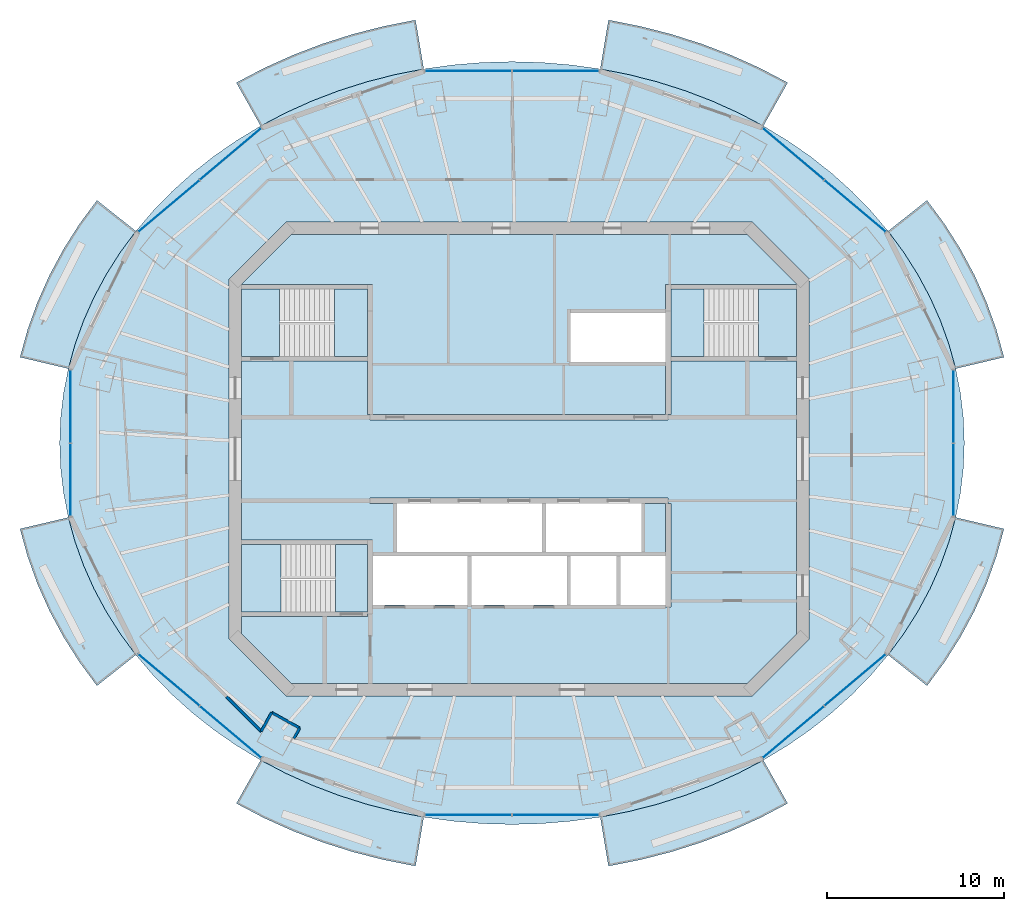
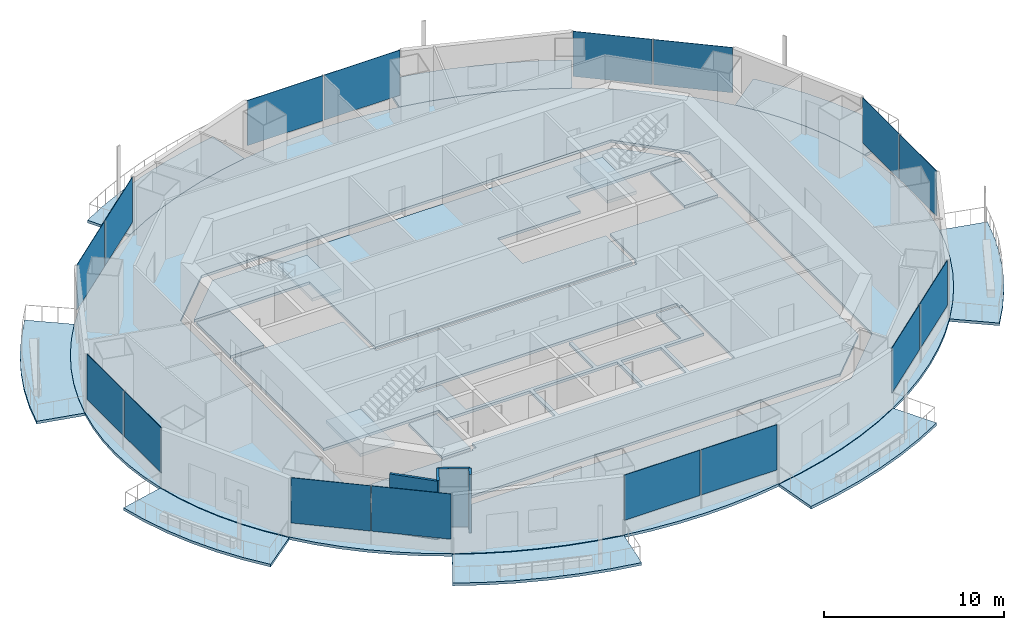
# One storey, part 7 of 15: 17 slabs, 16 plates, 4 walls, 11 elements without a shape of their own.
"""IFC4 building model written with IfcOpenShell, lengths in metres."""

from ifc_helpers import new_model, si_unit, direction, frame, frame_2d, origin, origin_2d, place, context, subcontext, project, spatial, polyline, rectangle, outline, extrude, material, layer, layer_set, type_object, element, aggregate, save


model = new_model("IFC4")

# Units and contexts
model_context = context("Model", 3, precision=1e-05, world=origin(), true_north=direction((0.0, 1.0)))
body_context = subcontext(model_context, "Body", "Model", "MODEL_VIEW")
ifc_project = project(units=[si_unit("LENGTHUNIT", "METRE"), si_unit("AREAUNIT", "SQUARE_METRE"), si_unit("VOLUMEUNIT", "CUBIC_METRE"), si_unit("PLANEANGLEUNIT", "RADIAN"), si_unit("MASSUNIT", "GRAM", prefix="KILO")], contexts=[model_context])

# Site, building, storey
site_placement = place(None, origin())
site = spatial("IfcSite", under=ifc_project, at=site_placement, CompositionType="ELEMENT")
building_placement = place(site_placement, origin())
building = spatial("IfcBuilding", under=site, at=building_placement, Name="Marenthal Gate Tower", CompositionType="ELEMENT")
storey_placement = place(building_placement, frame((0.0, 0.0, 384.10009765625)))
storey = spatial("IfcBuildingStorey", under=building, at=storey_placement, Name="L87", CompositionType="ELEMENT", Elevation=384.10009765625)

# Slabs
ifc_material_1 = material(Name="Concrete 40 MPa", Category="concrete")
ifc_layer_1 = layer(ifc_material_1, 0.179931640625)
ifc_layer_set_1 = layer_set([ifc_layer_1], Name="Balcony deck 180")
slab_type_1 = type_object("IfcSlabType", Name="Balcony deck 180", PredefinedType="USERDEFINED", material=ifc_layer_set_1)
slab_1_placement = place(storey_placement, frame((0.0, 0.0, -0.22021484375)))
element("IfcSlab", 1, at=slab_1_placement, inside=storey, type_object=slab_type_1, Name="Balcony deck L87 bay 1", ObjectType="BALCONY", PredefinedType="USERDEFINED", context=body_context, shape_type="SweptSolid", body=[
    extrude(outline(polyline([(24.610107421875, 5.094482421875), (24.231201171875, 6.464599609375), (23.74658203125, 7.810791015625), (23.158935546875, 9.127685546875), (22.47021484375, 10.4091796875), (21.68359375, 11.64990234375), (20.802490234375, 12.8447265625), (22.996826171875, 14.583984375), (23.993896484375, 13.23193359375), (24.88720703125, 11.82275390625), (25.672119140625, 10.3623046875), (26.343994140625, 8.856689453125), (26.899658203125, 7.312744140625), (27.335205078125, 5.7373046875), (24.610107421875, 5.094482421875)])), origin(), (0.0, 0.0, 1.0), 0.18017578125),
])
slab_2_placement = place(storey_placement, frame((0.0, 0.0, -0.22021484375)))
element("IfcSlab", 2, at=slab_2_placement, inside=storey, type_object=slab_type_1, Name="Balcony deck L87 bay 3", ObjectType="BALCONY", PredefinedType="USERDEFINED", context=body_context, shape_type="SweptSolid", body=[
    extrude(outline(polyline([(13.76708984375, 18.776611328125), (12.35009765625, 19.51953125), (10.87841796875, 20.182861328125), (9.3583984375, 20.763427734375), (7.796630859375, 21.259033203125), (6.199951171875, 21.66748046875), (4.57470703125, 21.98681640625), (5.037841796875, 24.748291015625), (6.81689453125, 24.398681640625), (8.567138671875, 23.950927734375), (10.281494140625, 23.40673828125), (11.953369140625, 22.768310546875), (13.575439453125, 22.037109375), (15.141357421875, 21.216064453125), (13.76708984375, 18.776611328125)])), origin(), (0.0, 0.0, 1.0), 0.18017578125),
])
slab_3_placement = place(storey_placement, frame((0.0, 0.0, -0.22021484375)))
element("IfcSlab", 3, at=slab_3_placement, inside=storey, type_object=slab_type_1, Name="Balcony deck L87 bay 5", ObjectType="BALCONY", PredefinedType="USERDEFINED", context=body_context, shape_type="SweptSolid", body=[
    extrude(outline(polyline([(-5.374755859375, 21.98681640625), (-7.0, 21.66748046875), (-8.5966796875, 21.259033203125), (-10.158447265625, 20.763427734375), (-11.678466796875, 20.182861328125), (-13.14990234375, 19.51953125), (-14.56689453125, 18.776611328125), (-15.94140625, 21.216064453125), (-14.37548828125, 22.037109375), (-12.75341796875, 22.768310546875), (-11.08154296875, 23.40673828125), (-9.3671875, 23.950927734375), (-7.616943359375, 24.398681640625), (-5.837890625, 24.748291015625), (-5.374755859375, 21.98681640625)])), origin(), (0.0, 0.0, 1.0), 0.18017578125),
])
slab_4_placement = place(storey_placement, frame((0.0, 0.0, -0.22021484375)))
element("IfcSlab", 4, at=slab_4_placement, inside=storey, type_object=slab_type_1, Name="Balcony deck L87 bay 7", ObjectType="BALCONY", PredefinedType="USERDEFINED", context=body_context, shape_type="SweptSolid", body=[
    extrude(outline(polyline([(-21.6025390625, 12.8447265625), (-22.483642578125, 11.64990234375), (-23.270263671875, 10.4091796875), (-23.958984375, 9.127685546875), (-24.546630859375, 7.810791015625), (-25.031005859375, 6.464599609375), (-25.409912109375, 5.094482421875), (-28.13525390625, 5.7373046875), (-27.69970703125, 7.312744140625), (-27.14404296875, 8.856689453125), (-26.471923828125, 10.3623046875), (-25.687255859375, 11.82275390625), (-24.7939453125, 13.23193359375), (-23.796875, 14.583984375), (-21.6025390625, 12.8447265625)])), origin(), (0.0, 0.0, 1.0), 0.18017578125),
])
slab_5_placement = place(storey_placement, frame((0.0, 0.0, -0.22021484375)))
element("IfcSlab", 5, at=slab_5_placement, inside=storey, type_object=slab_type_1, Name="Balcony deck L87 bay 9", ObjectType="BALCONY", PredefinedType="USERDEFINED", context=body_context, shape_type="SweptSolid", body=[
    extrude(outline(polyline([(-25.409912109375, -3.29443359375), (-25.031005859375, -4.66455078125), (-24.546630859375, -6.010986328125), (-23.958984375, -7.32763671875), (-23.270263671875, -8.609130859375), (-22.483642578125, -9.85009765625), (-21.6025390625, -11.044921875), (-23.796875, -12.783935546875), (-24.7939453125, -11.431884765625), (-25.687255859375, -10.02294921875), (-26.471923828125, -8.562255859375), (-27.14404296875, -7.056640625), (-27.69970703125, -5.5126953125), (-28.13525390625, -3.937255859375), (-25.409912109375, -3.29443359375)])), origin(), (0.0, 0.0, 1.0), 0.18017578125),
])
slab_6_placement = place(storey_placement, frame((0.0, 0.0, -0.22021484375)))
element("IfcSlab", 6, at=slab_6_placement, inside=storey, type_object=slab_type_1, Name="Balcony deck L87 bay 11", ObjectType="BALCONY", PredefinedType="USERDEFINED", context=body_context, shape_type="SweptSolid", body=[
    extrude(outline(polyline([(-14.56689453125, -16.9765625), (-13.14990234375, -17.719482421875), (-11.678466796875, -18.3828125), (-10.158447265625, -18.96337890625), (-8.5966796875, -19.458984375), (-7.0, -19.867431640625), (-5.374755859375, -20.18701171875), (-5.837890625, -22.9482421875), (-7.616943359375, -22.5986328125), (-9.3671875, -22.15087890625), (-11.08154296875, -21.60693359375), (-12.75341796875, -20.96826171875), (-14.37548828125, -20.237060546875), (-15.94140625, -19.416015625), (-14.56689453125, -16.9765625)])), origin(), (0.0, 0.0, 1.0), 0.18017578125),
])
slab_7_placement = place(storey_placement, frame((0.0, 0.0, -0.22021484375)))
element("IfcSlab", 7, at=slab_7_placement, inside=storey, type_object=slab_type_1, Name="Balcony deck L87 bay 13", ObjectType="BALCONY", PredefinedType="USERDEFINED", context=body_context, shape_type="SweptSolid", body=[
    extrude(outline(polyline([(4.57470703125, -20.18701171875), (6.199951171875, -19.867431640625), (7.796630859375, -19.458984375), (9.3583984375, -18.96337890625), (10.87841796875, -18.3828125), (12.35009765625, -17.719482421875), (13.76708984375, -16.9765625), (15.141357421875, -19.416015625), (13.575439453125, -20.237060546875), (11.953369140625, -20.96826171875), (10.281494140625, -21.60693359375), (8.567138671875, -22.15087890625), (6.81689453125, -22.5986328125), (5.037841796875, -22.9482421875), (4.57470703125, -20.18701171875)])), origin(), (0.0, 0.0, 1.0), 0.18017578125),
])
slab_8_placement = place(storey_placement, frame((0.0, 0.0, -0.22021484375)))
element("IfcSlab", 8, at=slab_8_placement, inside=storey, type_object=slab_type_1, Name="Balcony deck L87 bay 15", ObjectType="BALCONY", PredefinedType="USERDEFINED", context=body_context, shape_type="SweptSolid", body=[
    extrude(outline(polyline([(20.802490234375, -11.044921875), (21.68359375, -9.85009765625), (22.47021484375, -8.609130859375), (23.158935546875, -7.32763671875), (23.74658203125, -6.010986328125), (24.231201171875, -4.66455078125), (24.610107421875, -3.29443359375), (27.335205078125, -3.937255859375), (26.899658203125, -5.5126953125), (26.343994140625, -7.056640625), (25.672119140625, -8.562255859375), (24.88720703125, -10.02294921875), (23.993896484375, -11.431884765625), (22.996826171875, -12.783935546875), (20.802490234375, -11.044921875)])), origin(), (0.0, 0.0, 1.0), 0.18017578125),
])
ifc_material_2 = material(Name="Concrete 50 MPa", Category="concrete")
ifc_layer_2 = layer(ifc_material_2, 0.179931640625)
ifc_layer_set_2 = layer_set([ifc_layer_2], Name="Core floor slab 180")
slab_type_2 = type_object("IfcSlabType", Name="Core floor slab 180", PredefinedType="FLOOR", material=ifc_layer_set_2)
slab_9_placement = place(storey_placement, frame((0.0, 0.0, -0.18017578125)))
element("IfcSlab", 9, at=slab_9_placement, inside=storey, type_object=slab_type_2, Name="Core floor L87", PredefinedType="FLOOR", context=body_context, shape_type="SweptSolid", body=[
    extrude(outline(polyline([(12.85498046875, -12.64990234375), (-12.85498046875, -12.64990234375), (-15.64990234375, -9.85498046875), (-15.64990234375, -8.875), (-8.550048828125, -8.875), (-8.550048828125, -8.75), (-8.25, -8.75), (-8.25, -8.239990234375), (-5.60009765625, -8.239990234375), (-2.909912109375, -8.239990234375), (-2.909912109375, -5.4599609375), (-5.60009765625, -5.4599609375), (-8.25, -5.4599609375), (-8.25, -4.574951171875), (-8.550048828125, -4.574951171875), (-15.64990234375, -4.574951171875), (-15.64990234375, 5.52490234375), (-8.550048828125, 5.52490234375), (-8.550048828125, 2.5), (-8.39990234375, 2.5), (-8.39990234375, 2.199951171875), (8.39990234375, 2.199951171875), (8.39990234375, 2.5), (8.550048828125, 2.5), (8.550048828125, 5.52490234375), (15.64990234375, 5.52490234375), (15.64990234375, -9.85498046875), (12.85498046875, -12.64990234375)]), holes=[polyline([(0.0, -8.239990234375), (2.68994140625, -8.239990234375), (2.68994140625, -5.4599609375), (0.0, -5.4599609375), (-2.68994140625, -5.4599609375), (-2.68994140625, -8.239990234375), (0.0, -8.239990234375)]), polyline([(1.2900390625, -5.239990234375), (1.2900390625, -2.5), (1.510009765625, -2.5), (1.510009765625, -5.239990234375), (4.199951171875, -5.239990234375), (6.889892578125, -5.239990234375), (6.889892578125, -2.5), (8.25, -2.5), (8.25, -5.4599609375), (5.7099609375, -5.4599609375), (5.7099609375, -8.239990234375), (8.25, -8.239990234375), (8.25, -8.35009765625), (8.550048828125, -8.35009765625), (8.550048828125, -2.5), (8.39990234375, -2.5), (8.39990234375, -2.199951171875), (-8.39990234375, -2.199951171875), (-8.39990234375, -2.5), (-6.889892578125, -2.5), (-6.889892578125, -5.239990234375), (-4.199951171875, -5.239990234375), (-1.39990234375, -5.239990234375), (1.2900390625, -5.239990234375)]), polyline([(5.489990234375, -5.4599609375), (2.909912109375, -5.4599609375), (2.909912109375, -8.239990234375), (5.489990234375, -8.239990234375), (5.489990234375, -5.4599609375)])]), origin(), (0.0, 0.0, 1.0), 0.18017578125),
])
slab_10_placement = place(storey_placement, frame((0.0, 0.0, -0.18017578125)))
element("IfcSlab", 10, at=slab_10_placement, inside=storey, type_object=slab_type_2, Name="Core floor L87", PredefinedType="FLOOR", context=body_context, shape_type="SweptSolid", body=[
    extrude(outline(polyline([(15.64990234375, 5.77490234375), (13.5, 5.77490234375), (13.5, 9.574951171875), (15.64990234375, 9.574951171875), (15.64990234375, 5.77490234375)])), origin(), (0.0, 0.0, 1.0), 0.18017578125),
])
slab_11_placement = place(storey_placement, frame((0.0, 0.0, -0.18017578125)))
element("IfcSlab", 11, at=slab_11_placement, inside=storey, type_object=slab_type_2, Name="Core floor L87", PredefinedType="FLOOR", context=body_context, shape_type="SweptSolid", body=[
    extrude(outline(polyline([(15.64990234375, 9.824951171875), (8.550048828125, 9.824951171875), (8.25, 9.824951171875), (8.25, 8.35009765625), (8.25, 8.239990234375), (5.60009765625, 8.239990234375), (2.909912109375, 8.239990234375), (2.909912109375, 5.4599609375), (5.60009765625, 5.4599609375), (8.25, 5.4599609375), (8.25, 2.5), (-8.25, 2.5), (-8.25, 8.35009765625), (-8.25, 9.824951171875), (-8.550048828125, 9.824951171875), (-15.64990234375, 9.824951171875), (-15.64990234375, 9.85498046875), (-12.85498046875, 12.64990234375), (12.85498046875, 12.64990234375), (15.64990234375, 9.85498046875), (15.64990234375, 9.824951171875)])), origin(), (0.0, 0.0, 1.0), 0.18017578125),
])
slab_12_placement = place(storey_placement, frame((0.0, 0.0, -0.18017578125)))
element("IfcSlab", 12, at=slab_12_placement, inside=storey, type_object=slab_type_2, Name="Core floor L87", PredefinedType="FLOOR", context=body_context, shape_type="SweptSolid", body=[
    extrude(outline(polyline([(-15.64990234375, 9.574951171875), (-13.5, 9.574951171875), (-13.5, 5.77490234375), (-15.64990234375, 5.77490234375), (-15.64990234375, 9.574951171875)])), origin(), (0.0, 0.0, 1.0), 0.18017578125),
])
slab_13_placement = place(storey_placement, frame((0.0, 0.0, -0.18017578125)))
element("IfcSlab", 13, at=slab_13_placement, inside=storey, type_object=slab_type_2, Name="Core floor L87", PredefinedType="FLOOR", context=body_context, shape_type="SweptSolid", body=[
    extrude(outline(polyline([(-8.550048828125, -4.824951171875), (-8.550048828125, -8.625), (-10.35009765625, -8.625), (-10.35009765625, -4.824951171875), (-8.550048828125, -4.824951171875)])), origin(), (0.0, 0.0, 1.0), 0.18017578125),
])
ifc_material_3 = material(Name="Concrete 35 MPa", Category="concrete")
ifc_layer_3 = layer(ifc_material_3, 0.179931640625)
ifc_layer_set_3 = layer_set([ifc_layer_3], Name="Floor slab 180")
slab_type_3 = type_object("IfcSlabType", Name="Floor slab 180", PredefinedType="FLOOR", material=ifc_layer_set_3)
slab_14_placement = place(storey_placement, frame((0.0, 0.0, -0.18017578125)))
element("IfcSlab", 14, at=slab_14_placement, inside=storey, type_object=slab_type_3, Name="SL-L87-01", PredefinedType="FLOOR", context=body_context, shape_type="SweptSolid", body=[
    extrude(outline(polyline([(25.10009765625, 0.89990234375), (25.04541015625, 2.30615234375), (24.8818359375, 3.706298828125), (24.610107421875, 5.094482421875), (24.231201171875, 6.464599609375), (23.74658203125, 7.810791015625), (23.158935546875, 9.127685546875), (22.47021484375, 10.4091796875), (21.68359375, 11.64990234375), (20.802490234375, 12.8447265625), (19.83056640625, 13.98828125), (18.77197265625, 15.075927734375), (17.631103515625, 16.102783203125), (16.413330078125, 17.064697265625), (15.123291015625, 17.95703125), (13.76708984375, 18.776611328125), (12.35009765625, 19.51953125), (10.87841796875, 20.182861328125), (9.3583984375, 20.763427734375), (7.796630859375, 21.259033203125), (6.199951171875, 21.66748046875), (4.57470703125, 21.98681640625), (2.928466796875, 22.216064453125), (1.267822265625, 22.35400390625), (-0.39990234375, 22.39990234375), (-2.06787109375, 22.35400390625), (-3.728515625, 22.216064453125), (-5.374755859375, 21.98681640625), (-7.0, 21.66748046875), (-8.5966796875, 21.259033203125), (-10.158447265625, 20.763427734375), (-11.678466796875, 20.182861328125), (-13.14990234375, 19.51953125), (-14.56689453125, 18.776611328125), (-15.92333984375, 17.95703125), (-17.21337890625, 17.064697265625), (-18.43115234375, 16.102783203125), (-19.572021484375, 15.075927734375), (-20.630615234375, 13.98828125), (-21.6025390625, 12.8447265625), (-22.483642578125, 11.64990234375), (-23.270263671875, 10.4091796875), (-23.958984375, 9.127685546875), (-24.546630859375, 7.810791015625), (-25.031005859375, 6.464599609375), (-25.409912109375, 5.094482421875), (-25.681884765625, 3.706298828125), (-25.845458984375, 2.30615234375), (-25.89990234375, 0.89990234375), (-25.845458984375, -0.506103515625), (-25.681884765625, -1.90625), (-25.409912109375, -3.29443359375), (-25.031005859375, -4.66455078125), (-24.546630859375, -6.010986328125), (-23.958984375, -7.32763671875), (-23.270263671875, -8.609130859375), (-22.483642578125, -9.85009765625), (-21.6025390625, -11.044921875), (-20.630615234375, -12.1884765625), (-19.572021484375, -13.27587890625), (-18.43115234375, -14.302734375), (-17.21337890625, -15.2646484375), (-15.92333984375, -16.156982421875), (-14.56689453125, -16.9765625), (-13.14990234375, -17.719482421875), (-11.678466796875, -18.3828125), (-10.158447265625, -18.96337890625), (-8.5966796875, -19.458984375), (-7.0, -19.867431640625), (-5.374755859375, -20.18701171875), (-3.728515625, -20.416015625), (-2.06787109375, -20.553955078125), (-0.39990234375, -20.60009765625), (1.267822265625, -20.553955078125), (2.928466796875, -20.416015625), (4.57470703125, -20.18701171875), (6.199951171875, -19.867431640625), (7.796630859375, -19.458984375), (9.3583984375, -18.96337890625), (10.87841796875, -18.3828125), (12.35009765625, -17.719482421875), (13.76708984375, -16.9765625), (15.123291015625, -16.156982421875), (16.413330078125, -15.2646484375), (17.631103515625, -14.302734375), (18.77197265625, -13.27587890625), (19.83056640625, -12.1884765625), (20.802490234375, -11.044921875), (21.68359375, -9.85009765625), (22.47021484375, -8.609130859375), (23.158935546875, -7.32763671875), (23.74658203125, -6.010986328125), (24.231201171875, -4.66455078125), (24.610107421875, -3.29443359375), (24.8818359375, -1.90625), (25.04541015625, -0.506103515625), (25.10009765625, 0.89990234375)]), holes=[polyline([(13.14501953125, -13.35009765625), (16.35009765625, -10.14501953125), (16.35009765625, 10.14501953125), (13.14501953125, 13.35009765625), (-13.14501953125, 13.35009765625), (-16.35009765625, 10.14501953125), (-16.35009765625, -10.14501953125), (-13.14501953125, -13.35009765625), (13.14501953125, -13.35009765625)])]), origin(), (0.0, 0.0, 1.0), 0.18017578125),
])

# Curtain wall, plates
ifc_material_4 = material(Name="Aluminium and glass", Category="aluminium")
curtain_wall_type = type_object("IfcCurtainWallType", Name="Curtain wall typical high", PredefinedType="NOTDEFINED", material=ifc_material_4)
curtain_wall_1_placement = place(storey_placement, origin())
curtain_wall_1 = element("IfcCurtainWall", 15, at=curtain_wall_1_placement, inside=storey, type_object=curtain_wall_type, Name="Curtain wall L87 bay 2", PredefinedType="NOTDEFINED")
ifc_material_5 = material(Name="Glass, laminated insulating unit", Category="glass")
ifc_layer_4 = layer(ifc_material_5, 0.031982421875)
ifc_layer_set_4 = layer_set([ifc_layer_4], Name="Glass panel 32 typical high")
plate_type = type_object("IfcPlateType", Name="Glass panel 32 typical high", PredefinedType="CURTAIN_PANEL", material=ifc_layer_set_4)
plate_1_placement = place(storey_placement, frame((18.940673828125, 14.262451171875, 0.89990234375), z_axis=(0.0, 0.0, 1.0), x_axis=(-0.764802142616, 0.644265226944, 0.0)))
plate_1 = element("IfcPlate", 16, at=plate_1_placement, type_object=plate_type, Name="Glass panel L87 bay 2.1", PredefinedType="CURTAIN_PANEL", context=body_context, shape_type="SweptSolid", body=[
    extrude(rectangle(XDim=4.48779296875, YDim=0.031982421875, at=origin_2d()), origin(), (0.0, 0.0, 1.0), 3.070068359375),
])
plate_2_placement = place(storey_placement, frame((15.46240234375, 17.1923828125, 0.89990234375), z_axis=(0.0, 0.0, 1.0), x_axis=(-0.764802142616, 0.644265226944, 0.0)))
plate_2 = element("IfcPlate", 17, at=plate_2_placement, type_object=plate_type, Name="Glass panel L87 bay 2.2", PredefinedType="CURTAIN_PANEL", context=body_context, shape_type="SweptSolid", body=[
    extrude(rectangle(XDim=4.48779296875, YDim=0.031982421875, at=origin_2d()), origin(), (0.0, 0.0, 1.0), 3.070068359375),
])
aggregate(curtain_wall_1, [plate_1, plate_2])

curtain_wall_2_placement = place(storey_placement, origin())
curtain_wall_2 = element("IfcCurtainWall", 18, at=curtain_wall_2_placement, inside=storey, type_object=curtain_wall_type, Name="Curtain wall L87 bay 4", PredefinedType="NOTDEFINED")
plate_3_placement = place(storey_placement, frame((2.060791015625, 21.869140625, 0.89990234375), z_axis=(0.0, 0.0, 1.0), x_axis=(-1.0, 0.0, 0.0)))
plate_3 = element("IfcPlate", 19, at=plate_3_placement, type_object=plate_type, Name="Glass panel L87 bay 4.1", PredefinedType="CURTAIN_PANEL", context=body_context, shape_type="SweptSolid", body=[
    extrude(rectangle(XDim=4.861328125, YDim=0.031982421875, at=origin_2d()), origin(), (0.0, 0.0, 1.0), 3.070068359375),
])
plate_4_placement = place(storey_placement, frame((-2.860595703125, 21.869140625, 0.89990234375), z_axis=(0.0, 0.0, 1.0), x_axis=(-1.0, 0.0, 0.0)))
plate_4 = element("IfcPlate", 20, at=plate_4_placement, type_object=plate_type, Name="Glass panel L87 bay 4.2", PredefinedType="CURTAIN_PANEL", context=body_context, shape_type="SweptSolid", body=[
    extrude(rectangle(XDim=4.861328125, YDim=0.031982421875, at=origin_2d()), origin(), (0.0, 0.0, 1.0), 3.070068359375),
])
aggregate(curtain_wall_2, [plate_3, plate_4])

curtain_wall_3_placement = place(storey_placement, origin())
curtain_wall_3 = element("IfcCurtainWall", 21, at=curtain_wall_3_placement, inside=storey, type_object=curtain_wall_type, Name="Curtain wall L87 bay 6", PredefinedType="NOTDEFINED")
plate_5_placement = place(storey_placement, frame((-16.262451171875, 17.1923828125, 0.89990234375), z_axis=(0.0, 0.0, 1.0), x_axis=(-0.764802142616, -0.644265226944, 0.0)))
plate_5 = element("IfcPlate", 22, at=plate_5_placement, type_object=plate_type, Name="Glass panel L87 bay 6.1", PredefinedType="CURTAIN_PANEL", context=body_context, shape_type="SweptSolid", body=[
    extrude(rectangle(XDim=4.48779296875, YDim=0.031982421875, at=origin_2d()), origin(), (0.0, 0.0, 1.0), 3.070068359375),
])
plate_6_placement = place(storey_placement, frame((-19.74072265625, 14.262451171875, 0.89990234375), z_axis=(0.0, 0.0, 1.0), x_axis=(-0.764802142616, -0.644265226944, 0.0)))
plate_6 = element("IfcPlate", 23, at=plate_6_placement, type_object=plate_type, Name="Glass panel L87 bay 6.2", PredefinedType="CURTAIN_PANEL", context=body_context, shape_type="SweptSolid", body=[
    extrude(rectangle(XDim=4.48779296875, YDim=0.031982421875, at=origin_2d()), origin(), (0.0, 0.0, 1.0), 3.070068359375),
])
aggregate(curtain_wall_3, [plate_5, plate_6])

curtain_wall_4_placement = place(storey_placement, origin())
curtain_wall_4 = element("IfcCurtainWall", 24, at=curtain_wall_4_placement, inside=storey, type_object=curtain_wall_type, Name="Curtain wall L87 bay 8", PredefinedType="NOTDEFINED")
plate_7_placement = place(storey_placement, frame((-25.292236328125, 2.970458984375, 0.89990234375), z_axis=(0.0, 0.0, 1.0), x_axis=(0.0, -1.0, 0.0)))
plate_7 = element("IfcPlate", 25, at=plate_7_placement, type_object=plate_type, Name="Glass panel L87 bay 8.1", PredefinedType="CURTAIN_PANEL", context=body_context, shape_type="SweptSolid", body=[
    extrude(rectangle(XDim=4.0810546875, YDim=0.031982421875, at=origin_2d()), origin(), (0.0, 0.0, 1.0), 3.070068359375),
])
plate_8_placement = place(storey_placement, frame((-25.292236328125, -1.17041015625, 0.89990234375), z_axis=(0.0, 0.0, 1.0), x_axis=(0.0, -1.0, 0.0)))
plate_8 = element("IfcPlate", 26, at=plate_8_placement, type_object=plate_type, Name="Glass panel L87 bay 8.2", PredefinedType="CURTAIN_PANEL", context=body_context, shape_type="SweptSolid", body=[
    extrude(rectangle(XDim=4.0810546875, YDim=0.031982421875, at=origin_2d()), origin(), (0.0, 0.0, 1.0), 3.070068359375),
])
aggregate(curtain_wall_4, [plate_7, plate_8])

curtain_wall_5_placement = place(storey_placement, origin())
curtain_wall_5 = element("IfcCurtainWall", 27, at=curtain_wall_5_placement, inside=storey, type_object=curtain_wall_type, Name="Curtain wall L87 bay 10", PredefinedType="NOTDEFINED")
plate_9_placement = place(storey_placement, frame((-19.74072265625, -12.46240234375, 0.89990234375), z_axis=(0.0, 0.0, 1.0), x_axis=(0.764802142616, -0.644265226944, 0.0)))
plate_9 = element("IfcPlate", 28, at=plate_9_placement, type_object=plate_type, Name="Glass panel L87 bay 10.1", PredefinedType="CURTAIN_PANEL", context=body_context, shape_type="SweptSolid", body=[
    extrude(rectangle(XDim=4.48779296875, YDim=0.031982421875, at=origin_2d()), origin(), (0.0, 0.0, 1.0), 3.070068359375),
])
plate_10_placement = place(storey_placement, frame((-16.262451171875, -15.392578125, 0.89990234375), z_axis=(0.0, 0.0, 1.0), x_axis=(0.764802142616, -0.644265226944, 0.0)))
plate_10 = element("IfcPlate", 29, at=plate_10_placement, type_object=plate_type, Name="Glass panel L87 bay 10.2", PredefinedType="CURTAIN_PANEL", context=body_context, shape_type="SweptSolid", body=[
    extrude(rectangle(XDim=4.48779296875, YDim=0.031982421875, at=origin_2d()), origin(), (0.0, 0.0, 1.0), 3.070068359375),
])
aggregate(curtain_wall_5, [plate_9, plate_10])

curtain_wall_6_placement = place(storey_placement, origin())
curtain_wall_6 = element("IfcCurtainWall", 30, at=curtain_wall_6_placement, inside=storey, type_object=curtain_wall_type, Name="Curtain wall L87 bay 12", PredefinedType="NOTDEFINED")
plate_11_placement = place(storey_placement, frame((-2.860595703125, -20.069091796875, 0.89990234375), z_axis=(0.0, 0.0, 1.0), x_axis=(1.0, 0.0, 0.0)))
plate_11 = element("IfcPlate", 31, at=plate_11_placement, type_object=plate_type, Name="Glass panel L87 bay 12.1", PredefinedType="CURTAIN_PANEL", context=body_context, shape_type="SweptSolid", body=[
    extrude(rectangle(XDim=4.861328125, YDim=0.031982421875, at=origin_2d()), origin(), (0.0, 0.0, 1.0), 3.070068359375),
])
plate_12_placement = place(storey_placement, frame((2.060791015625, -20.069091796875, 0.89990234375), z_axis=(0.0, 0.0, 1.0), x_axis=(1.0, 0.0, 0.0)))
plate_12 = element("IfcPlate", 32, at=plate_12_placement, type_object=plate_type, Name="Glass panel L87 bay 12.2", PredefinedType="CURTAIN_PANEL", context=body_context, shape_type="SweptSolid", body=[
    extrude(rectangle(XDim=4.861328125, YDim=0.031982421875, at=origin_2d()), origin(), (0.0, 0.0, 1.0), 3.070068359375),
])
aggregate(curtain_wall_6, [plate_11, plate_12])

curtain_wall_7_placement = place(storey_placement, origin())
curtain_wall_7 = element("IfcCurtainWall", 33, at=curtain_wall_7_placement, inside=storey, type_object=curtain_wall_type, Name="Curtain wall L87 bay 14", PredefinedType="NOTDEFINED")
plate_13_placement = place(storey_placement, frame((15.46240234375, -15.392333984375, 0.89990234375), z_axis=(0.0, 0.0, 1.0), x_axis=(0.764802142616, 0.644265226944, 0.0)))
plate_13 = element("IfcPlate", 34, at=plate_13_placement, type_object=plate_type, Name="Glass panel L87 bay 14.1", PredefinedType="CURTAIN_PANEL", context=body_context, shape_type="SweptSolid", body=[
    extrude(rectangle(XDim=4.48779296875, YDim=0.031982421875, at=origin_2d()), origin(), (0.0, 0.0, 1.0), 3.070068359375),
])
plate_14_placement = place(storey_placement, frame((18.940673828125, -12.46240234375, 0.89990234375), z_axis=(0.0, 0.0, 1.0), x_axis=(0.764802142616, 0.644265226944, 0.0)))
plate_14 = element("IfcPlate", 35, at=plate_14_placement, type_object=plate_type, Name="Glass panel L87 bay 14.2", PredefinedType="CURTAIN_PANEL", context=body_context, shape_type="SweptSolid", body=[
    extrude(rectangle(XDim=4.48779296875, YDim=0.031982421875, at=origin_2d()), origin(), (0.0, 0.0, 1.0), 3.070068359375),
])
aggregate(curtain_wall_7, [plate_13, plate_14])

curtain_wall_8_placement = place(storey_placement, origin())
curtain_wall_8 = element("IfcCurtainWall", 36, at=curtain_wall_8_placement, inside=storey, type_object=curtain_wall_type, Name="Curtain wall L87 bay 16", PredefinedType="NOTDEFINED")
plate_15_placement = place(storey_placement, frame((24.4921875, -1.17041015625, 0.89990234375), z_axis=(0.0, 0.0, 1.0), x_axis=(0.0, 1.0, 0.0)))
plate_15 = element("IfcPlate", 37, at=plate_15_placement, type_object=plate_type, Name="Glass panel L87 bay 16.1", PredefinedType="CURTAIN_PANEL", context=body_context, shape_type="SweptSolid", body=[
    extrude(rectangle(XDim=4.0810546875, YDim=0.031982421875, at=origin_2d()), origin(), (0.0, 0.0, 1.0), 3.070068359375),
])
plate_16_placement = place(storey_placement, frame((24.4921875, 2.970458984375, 0.89990234375), z_axis=(0.0, 0.0, 1.0), x_axis=(0.0, 1.0, 0.0)))
plate_16 = element("IfcPlate", 38, at=plate_16_placement, type_object=plate_type, Name="Glass panel L87 bay 16.2", PredefinedType="CURTAIN_PANEL", context=body_context, shape_type="SweptSolid", body=[
    extrude(rectangle(XDim=4.0810546875, YDim=0.031982421875, at=origin_2d()), origin(), (0.0, 0.0, 1.0), 3.070068359375),
])
aggregate(curtain_wall_8, [plate_15, plate_16])

# Stair, slab
ifc_material_6 = material(Name="Concrete 40 MPa", Category="concrete")
stair_type = type_object("IfcStairType", Name="Exit stair 1800", PredefinedType="HALF_TURN_STAIR", material=ifc_material_6)
stair_1_placement = place(storey_placement, origin())
stair_1 = element("IfcStair", 39, at=stair_1_placement, inside=storey, type_object=stair_type, Name="Stair ST1", PredefinedType="HALF_TURN_STAIR")
ifc_material_7 = material(Name="Concrete 40 MPa", Category="concrete")
ifc_layer_5 = layer(ifc_material_7, 0.199951171875)
ifc_layer_set_5 = layer_set([ifc_layer_5], Name="Stair landing 200")
slab_type_4 = type_object("IfcSlabType", Name="Stair landing 200", PredefinedType="LANDING", material=ifc_layer_set_5)
slab_15_placement = place(storey_placement, frame((0.0, 0.0, 1.875)))
slab_15 = element("IfcSlab", 40, at=slab_15_placement, type_object=slab_type_4, Name="ST1 landing 1", PredefinedType="LANDING", context=body_context, shape_type="SweptSolid", body=[
    extrude(outline(polyline([(-10.419921875, 5.77490234375), (-8.550048828125, 5.77490234375), (-8.550048828125, 9.574951171875), (-10.419921875, 9.574951171875), (-10.419921875, 5.77490234375)])), origin(), (0.0, 0.0, 1.0), 0.199951171875),
])
aggregate(stair_1, [slab_15])

stair_2_placement = place(storey_placement, origin())
stair_2 = element("IfcStair", 41, at=stair_2_placement, inside=storey, type_object=stair_type, Name="Stair ST2", PredefinedType="HALF_TURN_STAIR")
slab_16_placement = place(storey_placement, frame((0.0, 0.0, 1.875)))
slab_16 = element("IfcSlab", 42, at=slab_16_placement, type_object=slab_type_4, Name="ST2 landing 1", PredefinedType="LANDING", context=body_context, shape_type="SweptSolid", body=[
    extrude(outline(polyline([(-15.64990234375, -8.625), (-13.429931640625, -8.625), (-13.429931640625, -4.824951171875), (-15.64990234375, -4.824951171875), (-15.64990234375, -8.625)])), origin(), (0.0, 0.0, 1.0), 0.199951171875),
])
aggregate(stair_2, [slab_16])

stair_3_placement = place(storey_placement, origin())
stair_3 = element("IfcStair", 43, at=stair_3_placement, inside=storey, type_object=stair_type, Name="Stair ST3", PredefinedType="HALF_TURN_STAIR")
slab_17_placement = place(storey_placement, frame((0.0, 0.0, 1.875)))
slab_17 = element("IfcSlab", 44, at=slab_17_placement, type_object=slab_type_4, Name="ST3 landing 1", PredefinedType="LANDING", context=body_context, shape_type="SweptSolid", body=[
    extrude(outline(polyline([(8.550048828125, 5.77490234375), (10.419921875, 5.77490234375), (10.419921875, 9.574951171875), (8.550048828125, 9.574951171875), (8.550048828125, 5.77490234375)])), origin(), (0.0, 0.0, 1.0), 0.199951171875),
])
aggregate(stair_3, [slab_17])

# Walls
ifc_material_8 = material(Name="Gypsum board on steel studs", Category="steel")
ifc_layer_6 = layer(ifc_material_8, 0.14990234375)
ifc_layer_set_6 = layer_set([ifc_layer_6], Name="Partition 150")
wall_type = type_object("IfcWallType", Name="Partition 150", PredefinedType="PARTITIONING", material=ifc_layer_set_6)
wall_1_placement = place(storey_placement, frame((-14.53564453125, -15.353515625, 0.0), z_axis=(0.0, 0.0, 1.0), x_axis=(-0.707062627028, 0.707150932589, 0.0)))
element("IfcWall", 45, at=wall_1_placement, inside=storey, type_object=wall_type, Name="Partition wall 58", PredefinedType="PARTITIONING", context=body_context, shape_type="SweptSolid", body=[
    extrude(rectangle(XDim=2.7646484375, YDim=0.14990234375, at=frame_2d((1.38232421875, 0.0))), origin(), (0.0, 0.0, 1.0), 3.969970703125),
])
wall_2_placement = place(storey_placement, frame((-13.94775390625, -14.29541015625, 0.0), z_axis=(0.0, 0.0, 1.0), x_axis=(-0.485677180591, -0.874138247792, 0.0)))
element("IfcWall", 46, at=wall_2_placement, inside=storey, type_object=wall_type, Name="Partition wall 60", PredefinedType="PARTITIONING", context=body_context, shape_type="SweptSolid", body=[
    extrude(rectangle(XDim=1.21044921875, YDim=0.14990234375, at=frame_2d((0.605224609375, 0.0))), origin(), (0.0, 0.0, 1.0), 3.969970703125),
])
wall_3_placement = place(storey_placement, frame((-12.69677734375, -15.75, 0.0), z_axis=(0.0, 0.0, 1.0), x_axis=(0.485642931179, 0.874157276122, 0.0)))
element("IfcWall", 47, at=wall_3_placement, inside=storey, type_object=wall_type, Name="Partition wall 61", PredefinedType="PARTITIONING", context=body_context, shape_type="SweptSolid", body=[
    extrude(rectangle(XDim=0.66357421875, YDim=0.14990234375, at=frame_2d((0.331787109375, 0.0))), origin(), (0.0, 0.0, 1.0), 3.969970703125),
])
wall_4_placement = place(storey_placement, frame((-12.37451171875, -15.169921875, 0.0), z_axis=(0.0, 0.0, 1.0), x_axis=(-0.874042088414, 0.485850211157, 0.0)))
element("IfcWall", 48, at=wall_4_placement, inside=storey, type_object=wall_type, Name="Partition wall 62", PredefinedType="PARTITIONING", context=body_context, shape_type="SweptSolid", body=[
    extrude(rectangle(XDim=1.800048828125, YDim=0.14990234375, at=frame_2d((0.89990234375, 0.0))), origin(), (0.0, 0.0, 1.0), 3.969970703125),
])

save(model, "model.ifc")
